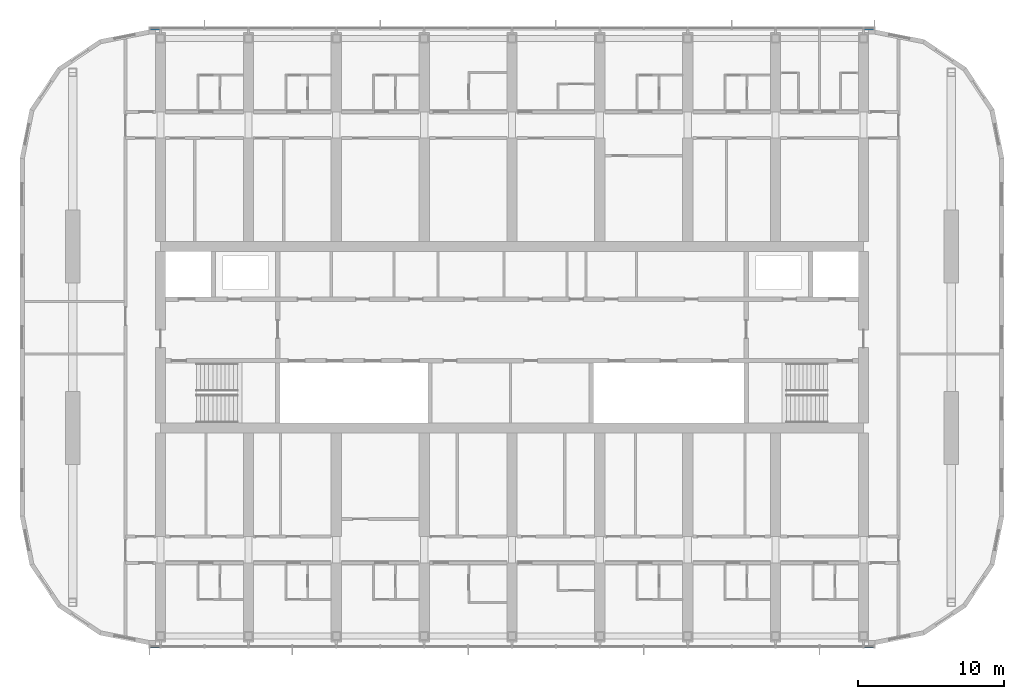
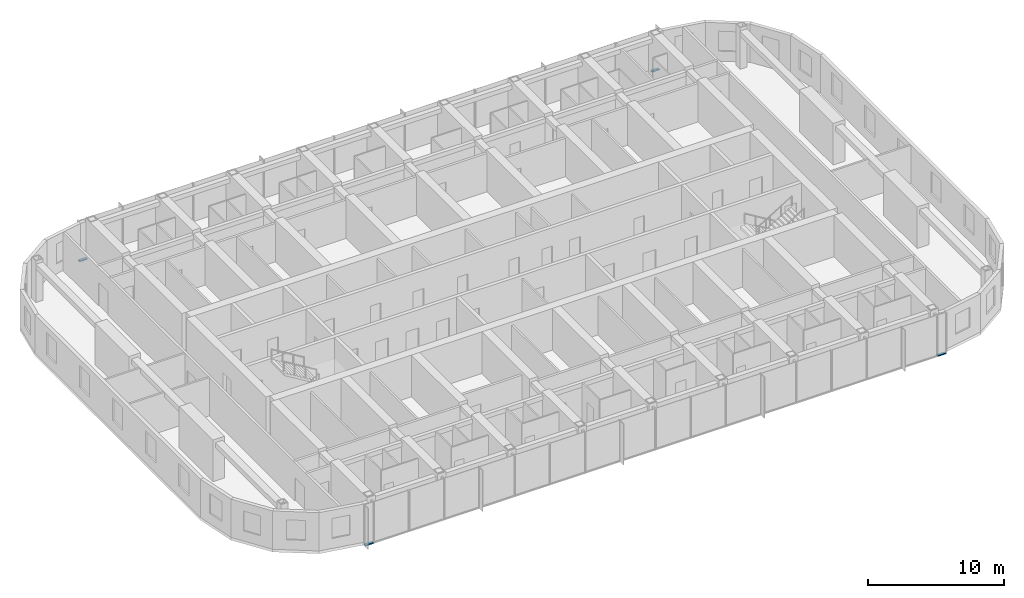
# One storey, part 6 of 23: 4 members, 2 elements without a shape of their own.
"""IFC4 building model written with IfcOpenShell, lengths in metres."""

import ifcopenshell
import ifcopenshell.guid

model = None  # the IFC model being written
_history = None  # IfcOwnerHistory: only IFC2X3 demands one
_inside = {}  # id of a spatial element -> (the spatial element, [elements in it])
_under = {}  # id of a project, library or spatial element -> (it, [spatial elements below it])
_declared = {}  # id of a project -> (the project, [libraries it declares])
_typed = {}  # id of a type object -> (the type object, [elements of that type])
_made_of = {}  # id of a material, layer set ... -> (it, [elements and type objects made of it])


def new_model(schema):
    """Start an empty IFC model of exactly this schema.

    Asked for "IFC4X3", IfcOpenShell would pick the latest addendum, in which some entities
    have other attributes; the version numbers below select the first issue.
    IFC2X3 requires an IfcOwnerHistory on every rooted entity: one is made here for all.
    """
    global model, _history
    if schema == "IFC4X3":
        model = ifcopenshell.file(schema_version=(4, 3, 0, 0))
    else:
        model = ifcopenshell.file(schema=schema)
    _inside.clear()
    _under.clear()
    _declared.clear()
    _typed.clear()
    _made_of.clear()
    _history = None
    if model.schema == "IFC2X3":
        org = make("IfcOrganization", Name="unknown")
        user = make(
            "IfcPersonAndOrganization",
            ThePerson=make("IfcPerson", FamilyName="unknown"),
            TheOrganization=org,
        )
        app = make(
            "IfcApplication",
            ApplicationDeveloper=org,
            Version="unknown",
            ApplicationFullName="unknown",
            ApplicationIdentifier="unknown",
        )
        _history = make(
            "IfcOwnerHistory",
            OwningUser=user,
            OwningApplication=app,
            ChangeAction="ADDED",
            CreationDate=0,
        )
    return model


def make(cls, **values):
    """One entity of the class cls with the attributes given. An attribute that is None is left unset."""
    return model.create_entity(
        cls, **{name: value for name, value in values.items() if value is not None}
    )


def rooted(cls, **values):
    """An entity with a GlobalId (a new one), such as an element, a storey or a relation."""
    return make(cls, GlobalId=ifcopenshell.guid.new(), OwnerHistory=_history, **values)


def si_unit(unit_type, name, prefix=None):
    """IfcSIUnit, for example si_unit("LENGTHUNIT", "METRE", prefix="MILLI")."""
    return make("IfcSIUnit", UnitType=unit_type, Prefix=prefix, Name=name)


def assignment(units):
    """IfcUnitAssignment: the units of a project."""
    return None if units is None else make("IfcUnitAssignment", Units=units)


def point(xyz):
    """IfcCartesianPoint."""
    return None if xyz is None else make("IfcCartesianPoint", Coordinates=xyz)


def direction(xyz):
    """IfcDirection."""
    return None if xyz is None else make("IfcDirection", DirectionRatios=xyz)


def frame(location, z_axis=None, x_axis=None):
    """IfcAxis2Placement3D, a coordinate frame: its origin and axes. An axis left out is left unset."""
    return make(
        "IfcAxis2Placement3D",
        Location=point(location),
        Axis=direction(z_axis),
        RefDirection=direction(x_axis),
    )


def frame_2d(location, x_axis=None):
    """IfcAxis2Placement2D, a coordinate frame in the plane: its origin and x axis."""
    return make(
        "IfcAxis2Placement2D", Location=point(location), RefDirection=direction(x_axis)
    )


def origin():
    """The frame at (0, 0, 0) with its axes left unset."""
    return frame((0.0, 0.0, 0.0))


def origin_2d():
    """The frame at (0, 0) in the plane with its x axis left unset."""
    return frame_2d((0.0, 0.0))


def place(relative_to, where):
    """IfcLocalPlacement: puts the frame where relative to a parent placement (None: the world)."""
    return make(
        "IfcLocalPlacement", PlacementRelTo=relative_to, RelativePlacement=where
    )


def context(
    kind, dimensions, precision=None, world=None, true_north=None, identifier=None
):
    """IfcGeometricRepresentationContext, for example the 3D "Model" context."""
    return make(
        "IfcGeometricRepresentationContext",
        ContextIdentifier=identifier,
        ContextType=kind,
        CoordinateSpaceDimension=dimensions,
        Precision=precision,
        WorldCoordinateSystem=world,
        TrueNorth=true_north,
    )


def subcontext(parent, identifier, kind, view, scale=None):
    """IfcGeometricRepresentationSubContext, for example "Body" below "Model"."""
    return make(
        "IfcGeometricRepresentationSubContext",
        ContextIdentifier=identifier,
        ContextType=kind,
        ParentContext=parent,
        TargetScale=scale,
        TargetView=view,
    )


def project(units=None, contexts=None):
    """IfcProject with its units and contexts."""
    return rooted(
        "IfcProject",
        Name="project",
        RepresentationContexts=contexts,
        UnitsInContext=assignment(units),
    )


def spatial(cls, under=None, at=None, **own):
    """A site, building, storey or space (cls), placed at a placement, below another one or the project."""
    s = rooted(cls, ObjectPlacement=at, **own)
    if under is not None:
        _under.setdefault(under.id(), (under, []))[1].append(s)
    return s


def profile(cls, at=None, kind="AREA", **sizes):
    """A parametric profile (cls). Its sizes go by their IFC names, for example OverallWidth=200.0."""
    return make(cls, ProfileType=kind, Position=at, **sizes)


def rectangle(**sizes):
    """IfcRectangleProfileDef."""
    return profile("IfcRectangleProfileDef", **sizes)


def extrude(swept, where, along, depth):
    """IfcExtrudedAreaSolid: the profile swept, set in the frame where, extruded along a direction by depth."""
    return make(
        "IfcExtrudedAreaSolid",
        SweptArea=swept,
        Position=where,
        ExtrudedDirection=direction(along),
        Depth=depth,
    )


def shape(context_of_items, identifier, shape_type, items):
    """IfcShapeRepresentation: the items that make up one representation, for example the "Body"."""
    return make(
        "IfcShapeRepresentation",
        ContextOfItems=context_of_items,
        RepresentationIdentifier=identifier,
        RepresentationType=shape_type,
        Items=items,
    )


def material(Name=None, Category=None):
    """IfcMaterial."""
    return make("IfcMaterial", Name=Name, Category=Category)


def material_profile(
    of_material, cross_section, Name=None, Category=None, Priority=None
):
    """IfcMaterialProfile: a cross section and its material."""
    return make(
        "IfcMaterialProfile",
        Name=Name,
        Material=of_material,
        Profile=cross_section,
        Priority=Priority,
        Category=Category,
    )


def profile_set(profiles, Name=None, composite=None):
    """IfcMaterialProfileSet."""
    return make(
        "IfcMaterialProfileSet",
        Name=Name,
        MaterialProfiles=profiles,
        CompositeProfile=composite,
    )


def made_of(thing, what):
    """Note that an element or type object is made of a material, layer set ...; save() writes the relation."""
    if what is not None:
        _made_of.setdefault(what.id(), (what, []))[1].append(thing)
    return thing


def type_object(cls, material=None, **own):
    """A type object (cls), such as IfcWallType, which elements share."""
    return made_of(rooted(cls, **own), material)


def element(
    cls,
    number,
    at=None,
    inside=None,
    cuts=None,
    type_object=None,
    material=None,
    context=None,
    identifier="Body",
    shape_type=None,
    held_by="IfcProductDefinitionShape",
    body=None,
    shapes=None,
    **own,
):
    """One element of the class cls, such as IfcWall. Its Tag is "e" and its number.

    at: its placement. inside: the storey or other place that contains it. cuts: it is an
    opening in that element (IfcRelVoidsElement). A single representation is given by context,
    identifier, shape_type and body (its items); several are given by shapes. held_by: the class
    of the entity that holds the representations. save() writes the other relations.
    """
    e = rooted(cls, Tag="e%d" % number, ObjectPlacement=at, **own)
    if body is not None:
        shapes = [shape(context, identifier, shape_type, body)]
    if shapes is not None:
        e.Representation = make(held_by, Representations=shapes)
    if inside is not None:
        _inside.setdefault(inside.id(), (inside, []))[1].append(e)
    if cuts is not None:
        rooted(
            "IfcRelVoidsElement", RelatingBuildingElement=cuts, RelatedOpeningElement=e
        )
    if type_object is not None:
        _typed.setdefault(type_object.id(), (type_object, []))[1].append(e)
    return made_of(e, material)


def aggregate(whole, parts):
    """IfcRelAggregates: a whole, such as a stair, and the parts it consists of."""
    return rooted("IfcRelAggregates", RelatingObject=whole, RelatedObjects=parts)


def save(model, path):
    """Write the relations noted so far, then the file.

    IfcRelAggregates (storeys below a building ...), IfcRelContainedInSpatialStructure (elements
    in a storey), IfcRelDefinesByType, IfcRelAssociatesMaterial and IfcRelDeclares: one each for
    every whole, place, type object, material and project.
    """
    for whole, parts in _under.values():
        aggregate(whole, parts)
    for where, things in _inside.values():
        rooted(
            "IfcRelContainedInSpatialStructure",
            RelatedElements=things,
            RelatingStructure=where,
        )
    for kind, things in _typed.values():
        rooted("IfcRelDefinesByType", RelatedObjects=things, RelatingType=kind)
    for what, things in _made_of.values():
        rooted("IfcRelAssociatesMaterial", RelatedObjects=things, RelatingMaterial=what)
    for by, libraries in _declared.values():
        rooted("IfcRelDeclares", RelatingContext=by, RelatedDefinitions=libraries)
    model.write(path)


model = new_model("IFC4")

# Units and contexts
model_context = context("Model", 3, precision=1e-05, world=origin(), true_north=direction((0.0, 1.0)))
body_context = subcontext(model_context, "Body", "Model", "MODEL_VIEW")
ifc_project = project(units=[si_unit("LENGTHUNIT", "METRE"), si_unit("AREAUNIT", "SQUARE_METRE"), si_unit("VOLUMEUNIT", "CUBIC_METRE"), si_unit("PLANEANGLEUNIT", "RADIAN"), si_unit("MASSUNIT", "GRAM", prefix="KILO")], contexts=[model_context])

# Site, building, storey
site_placement = place(None, origin())
site = spatial("IfcSite", under=ifc_project, at=site_placement, CompositionType="ELEMENT")
building_placement = place(site_placement, origin())
building = spatial("IfcBuilding", under=site, at=building_placement, Name="Orbita Commons", CompositionType="ELEMENT")
storey_placement = place(building_placement, frame((0.0, 0.0, 254.050048828125)))
storey = spatial("IfcBuildingStorey", under=building, at=storey_placement, Name="L63", CompositionType="ELEMENT", Elevation=254.050048828125)

# Curtain wall, members
ifc_material_1 = material(Name="Anodised aluminium frame, pale silver", Category="aluminium")
curtain_wall_type = type_object("IfcCurtainWallType", Name="Unitised curtain wall CW-U, full-height vision", PredefinedType="NOTDEFINED", material=ifc_material_1)
curtain_wall_1_placement = place(storey_placement, origin())
curtain_wall_1 = element("IfcCurtainWall", 1, at=curtain_wall_1_placement, inside=storey, type_object=curtain_wall_type, Name="Curtain wall south L63", PredefinedType="NOTDEFINED")
ifc_material_2 = material(Name="Anodised aluminium, pale silver", Category="aluminium")
ifc_material_profile = material_profile(ifc_material_2, rectangle(XDim=0.219970703125, YDim=0.10009765625, at=origin_2d()), Name="AL 220x100")
ifc_profile_set = profile_set([ifc_material_profile], Name="Anodised aluminium, pale silver")
member_type = type_object("IfcMemberType", Name="Curtain wall stack transom 220x100", PredefinedType="USERDEFINED", material=ifc_profile_set)
member_1_placement = place(storey_placement, frame((17.280029296875, 10.889892578125, -0.199951171875), z_axis=(1.0, 0.0, 0.0), x_axis=(0.0, 1.0, 0.0)))
member_1 = element("IfcMember", 2, at=member_1_placement, type_object=member_type, Name="Transom 1.1 CW-L63-S", ObjectType="TRANSOM", PredefinedType="USERDEFINED", context=body_context, shape_type="SweptSolid", body=[
    extrude(rectangle(XDim=0.219970703125, YDim=0.10009765625, at=origin_2d()), origin(), (0.0, 0.0, 1.0), 0.679931640625),
])
member_2_placement = place(storey_placement, frame((66.0400390625, 10.889892578125, -0.199951171875), z_axis=(1.0, 0.0, 0.0), x_axis=(0.0, 1.0, 0.0)))
member_2 = element("IfcMember", 3, at=member_2_placement, type_object=member_type, Name="Transom 18.1 CW-L63-S", ObjectType="TRANSOM", PredefinedType="USERDEFINED", context=body_context, shape_type="SweptSolid", body=[
    extrude(rectangle(XDim=0.219970703125, YDim=0.10009765625, at=origin_2d()), origin(), (0.0, 0.0, 1.0), 0.679931640625),
])
aggregate(curtain_wall_1, [member_1, member_2])

curtain_wall_2_placement = place(storey_placement, origin())
curtain_wall_2 = element("IfcCurtainWall", 4, at=curtain_wall_2_placement, inside=storey, type_object=curtain_wall_type, Name="Curtain wall north L63", PredefinedType="NOTDEFINED")
member_3_placement = place(storey_placement, frame((66.719970703125, 53.110107421875, -0.199951171875), z_axis=(-1.0, 0.0, 0.0), x_axis=(0.0, -1.0, 0.0)))
member_3 = element("IfcMember", 5, at=member_3_placement, type_object=member_type, Name="Transom 1.1 CW-L63-N", ObjectType="TRANSOM", PredefinedType="USERDEFINED", context=body_context, shape_type="SweptSolid", body=[
    extrude(rectangle(XDim=0.219970703125, YDim=0.10009765625, at=origin_2d()), origin(), (0.0, 0.0, 1.0), 0.679931640625),
])
member_4_placement = place(storey_placement, frame((17.9599609375, 53.110107421875, -0.199951171875), z_axis=(-1.0, 0.0, 0.0), x_axis=(0.0, -1.0, 0.0)))
member_4 = element("IfcMember", 6, at=member_4_placement, type_object=member_type, Name="Transom 18.1 CW-L63-N", ObjectType="TRANSOM", PredefinedType="USERDEFINED", context=body_context, shape_type="SweptSolid", body=[
    extrude(rectangle(XDim=0.219970703125, YDim=0.10009765625, at=origin_2d()), origin(), (0.0, 0.0, 1.0), 0.679931640625),
])
aggregate(curtain_wall_2, [member_3, member_4])

save(model, "model.ifc")
